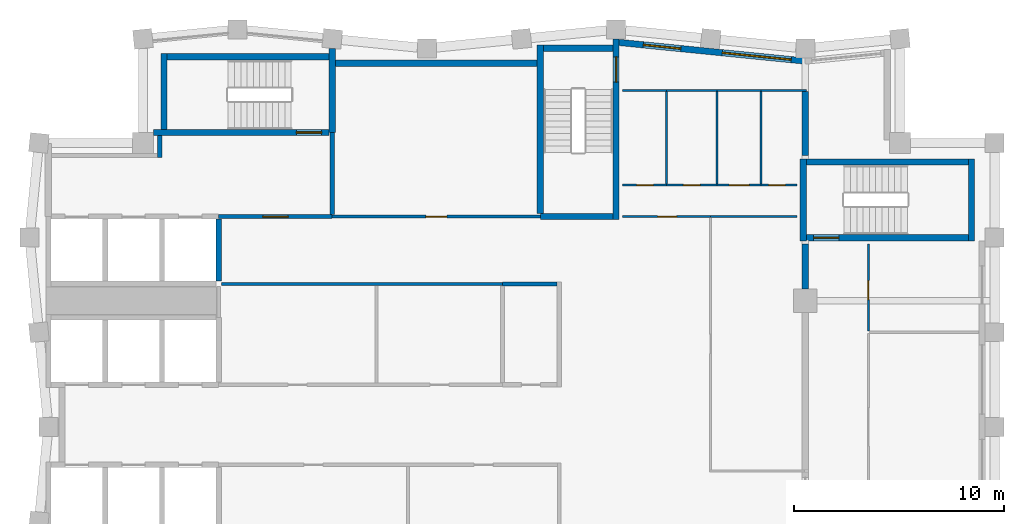
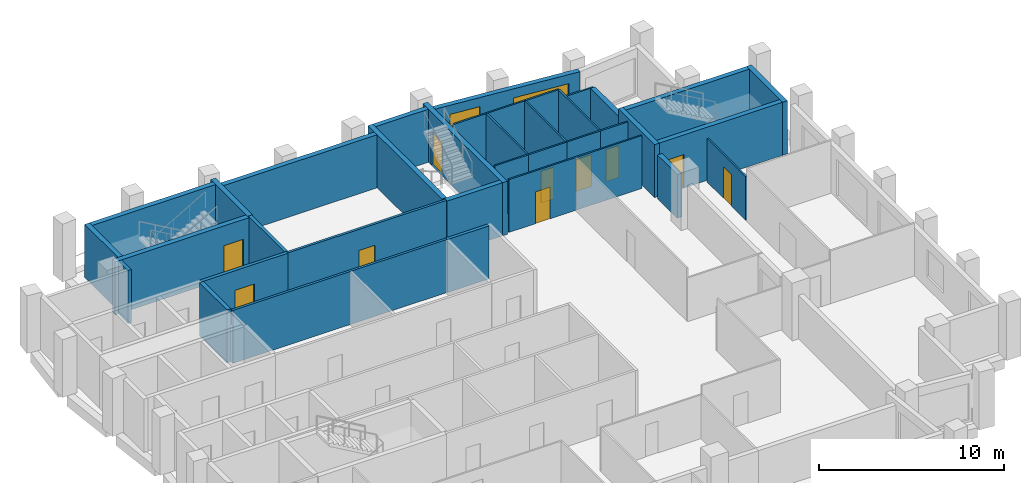
# One storey, part 5 of 7: 37 walls, 11 doors, 2 windows, 13 openings.
"""IFC4 building model written with IfcOpenShell, lengths in metres."""

from ifc_helpers import new_model, si_unit, direction, frame, frame_2d, origin, place, context, subcontext, project, spatial, rectangle, extrude, material, layer, layer_set, type_object, element, fill, save


model = new_model("IFC4")

# Units and contexts
model_context = context("Model", 3, precision=1e-05, world=origin(), true_north=direction((0.0, 1.0)))
body_context = subcontext(model_context, "Body", "Model", "MODEL_VIEW")
ifc_project = project(units=[si_unit("LENGTHUNIT", "METRE"), si_unit("AREAUNIT", "SQUARE_METRE"), si_unit("VOLUMEUNIT", "CUBIC_METRE"), si_unit("PLANEANGLEUNIT", "RADIAN"), si_unit("MASSUNIT", "GRAM", prefix="KILO")], contexts=[model_context])

# Site, building, storey
site_placement = place(None, origin())
site = spatial("IfcSite", under=ifc_project, at=site_placement, CompositionType="ELEMENT")
building_placement = place(site_placement, origin())
building = spatial("IfcBuilding", under=site, at=building_placement, Name="Brondeck Convention Tower", CompositionType="ELEMENT")
storey_placement = place(building_placement, frame((0.0, 0.0, 263.800048828125)))
storey = spatial("IfcBuildingStorey", under=building, at=storey_placement, Name="L65", CompositionType="ELEMENT", Elevation=263.800048828125)

# Walls
ifc_material_1 = material(Name="Concrete compartment wall C30/37", Category="concrete")
ifc_layer_1 = layer(ifc_material_1, 0.300048828125)
ifc_layer_set_1 = layer_set([ifc_layer_1], Name="Compartment wall 300")
wall_type_1 = type_object("IfcWallType", Name="Compartment wall 300", PredefinedType="PARTITIONING", material=ifc_layer_set_1)
wall_1_placement = place(storey_placement, frame((36.0, 51.554931640625, 0.0), z_axis=(0.0, 0.0, 1.0), x_axis=(0.0, 1.0, 0.0)))
element("IfcWall", 1, at=wall_1_placement, inside=storey, type_object=wall_type_1, Name="FLR-L65-W040", PredefinedType="PARTITIONING", context=body_context, shape_type="SweptSolid", body=[
    extrude(rectangle(XDim=2.14501953125, YDim=0.300048828125, at=frame_2d((1.072509765625, 0.0))), origin(), (0.0, 0.0, 1.0), 2.8798828125),
])
wall_2_placement = place(storey_placement, frame((36.0, 60.949951171875, 0.0), z_axis=(0.0, 0.0, 1.0), x_axis=(0.0, -1.0, 0.0)))
element("IfcWall", 2, at=wall_2_placement, inside=storey, type_object=wall_type_1, Name="FLR-L65-W052", PredefinedType="PARTITIONING", context=body_context, shape_type="SweptSolid", body=[
    extrude(rectangle(XDim=3.050048828125, YDim=0.300048828125, at=frame_2d((1.52490234375, 0.0))), origin(), (0.0, 0.0, 1.0), 2.8798828125),
])
ifc_material_2 = material(Name="Concrete C50/60", Category="concrete")
ifc_layer_2 = layer(ifc_material_2, 0.300048828125)
ifc_layer_set_2 = layer_set([ifc_layer_2], Name="Core outer wall 300 Concrete C50/60")
wall_type_2 = type_object("IfcWallType", Name="Core outer wall 300 Concrete C50/60", PredefinedType="SHEAR", material=ifc_layer_set_2)
wall_3_placement = place(storey_placement, frame((13.64990234375, 62.300048828125, 0.0), z_axis=(0.0, 0.0, 1.0), x_axis=(1.0, 0.0, 0.0)))
element("IfcWall", 3, at=wall_3_placement, inside=storey, type_object=wall_type_2, Name="L65 core wall", PredefinedType="SHEAR", context=body_context, shape_type="SweptSolid", body=[
    extrude(rectangle(XDim=9.60009765625, YDim=0.300048828125, at=frame_2d((4.800048828125, 0.0))), origin(), (0.0, 0.0, 1.0), 3.5),
])
ifc_material_3 = material(Name="Fire-rated gypsum board partition")
ifc_layer_3 = layer(ifc_material_3, 0.14990234375)
ifc_layer_set_3 = layer_set([ifc_layer_3], Name="Core partition 150 EI 60")
wall_type_3 = type_object("IfcWallType", Name="Core partition 150 EI 60", PredefinedType="PARTITIONING", material=ifc_layer_set_3)
wall_4_placement = place(storey_placement, frame((8.22509765625, 51.800048828125, 0.0), z_axis=(0.0, 0.0, 1.0), x_axis=(1.0, 0.0, 0.0)))
element("IfcWall", 4, at=wall_4_placement, inside=storey, type_object=wall_type_3, Name="L65 core wall", PredefinedType="PARTITIONING", context=body_context, shape_type="SweptSolid", body=[
    extrude(rectangle(XDim=13.375, YDim=0.14990234375, at=frame_2d((6.6875, 0.0))), origin(), (0.0, 0.0, 1.0), 3.5),
])

# Wall, opening, door
wall_5_placement = place(storey_placement, frame((13.5, 55.0, 0.0), z_axis=(0.0, 0.0, 1.0), x_axis=(1.0, 0.0, 0.0)))
wall_5 = element("IfcWall", 5, at=wall_5_placement, inside=storey, type_object=wall_type_3, Name="L65 core wall", PredefinedType="PARTITIONING", context=body_context, shape_type="SweptSolid", body=[
    extrude(rectangle(XDim=9.89990234375, YDim=0.14990234375, at=frame_2d((4.949951171875, 0.0))), origin(), (0.0, 0.0, 1.0), 3.5),
])
opening_1_placement = place(wall_5_placement, frame((4.449951171875, 0.0, 0.0)))
opening_1 = element("IfcOpeningElement", 6, at=opening_1_placement, cuts=wall_5, Name="Opening C36-11", PredefinedType="OPENING", context=body_context, shape_type="SweptSolid", body=[
    extrude(rectangle(XDim=1.0, YDim=2.10009765625, at=frame_2d((0.5, 1.050048828125))), frame((0.0, 0.0849609375, 0.0), z_axis=(0.0, -1.0, 0.0), x_axis=(1.0, 0.0, 0.0)), (0.0, 0.0, 1.0), 0.169921875),
])
ifc_material_4 = material(Name="Steel fire door", Category="steel")
door_type_1 = type_object("IfcDoorType", Name="Room door 1000x2100 EI 60", OperationType="NOTDEFINED", PredefinedType="DOOR", material=ifc_material_4)
door_1_placement = place(opening_1_placement, origin())
door_1 = element("IfcDoor", 7, at=door_1_placement, inside=storey, type_object=door_type_1, Name="L65 Room door NE-1", OperationType="SINGLE_SWING_LEFT", OverallHeight=2.10009765625, OverallWidth=1.0, PredefinedType="DOOR", context=body_context, shape_type="SweptSolid", body=[
    extrude(rectangle(XDim=1.0, YDim=2.10009765625, at=frame_2d((0.5, 1.050048828125))), frame((0.0, 0.02490234375, 0.0), z_axis=(0.0, -1.0, 0.0), x_axis=(1.0, 0.0, 0.0)), (0.0, 0.0, 1.0), 0.050048828125),
])
fill(opening_1, door_1)

# Wall, openings, windows
ifc_material_5 = material(Name="Precast concrete C50/60 bronze finish", Category="concrete")
ifc_layer_4 = layer(ifc_material_5, 0.070068359375, Name="Bronze precast facing")
ifc_material_6 = material(Name="Mineral wool")
ifc_layer_5 = layer(ifc_material_6, 0.159912109375, Name="Insulation")
ifc_material_7 = material(Name="Concrete C35/45", Category="concrete")
ifc_layer_6 = layer(ifc_material_7, 0.070068359375, Name="Backing")
ifc_layer_set_4 = layer_set([ifc_layer_4, ifc_layer_5, ifc_layer_6], Name="External infill wall, precast concrete C50/60 bronze facing")
wall_type_4 = type_object("IfcWallType", Name="External infill wall, precast concrete C50/60 bronze facing", PredefinedType="SOLIDWALL", material=ifc_layer_set_4)
wall_6_placement = place(storey_placement, frame((27.089599609375, 63.2880859375, 0.0), z_axis=(0.0, 0.0, 1.0), x_axis=(0.995035835913, -0.09951726106, 0.0)))
wall_6 = element("IfcWall", 8, at=wall_6_placement, inside=storey, type_object=wall_type_4, Name="ENV-EW-L65-P3-A-N-07", PredefinedType="SOLIDWALL", context=body_context, shape_type="SweptSolid", body=[
    extrude(rectangle(XDim=8.9248046875, YDim=0.300048828125, at=frame_2d((4.46240234375, 0.0))), origin(), (0.0, 0.0, 1.0), 3.14990234375),
])
opening_2_placement = place(wall_6_placement, frame((1.211181640625, 0.0, 0.75)))
opening_2 = element("IfcOpeningElement", 9, at=opening_2_placement, cuts=wall_6, Name="Opening W10", PredefinedType="OPENING", context=body_context, shape_type="SweptSolid", body=[
    extrude(rectangle(XDim=1.800048828125, YDim=1.800048828125, at=frame_2d((0.89990234375, 0.89990234375))), frame((0.0, 0.159912109375, 0.0), z_axis=(0.0, -1.0, 0.0), x_axis=(1.0, 0.0, 0.0)), (0.0, 0.0, 1.0), 0.320068359375),
])
opening_3_placement = place(wall_6_placement, frame((4.983642578125, 0.0, 0.14990234375)))
opening_3 = element("IfcOpeningElement", 10, at=opening_3_placement, cuts=wall_6, Name="Opening W9", PredefinedType="OPENING", context=body_context, shape_type="SweptSolid", body=[
    extrude(rectangle(XDim=3.300048828125, YDim=2.39990234375, at=frame_2d((1.64990234375, 1.199951171875))), frame((0.0, 0.159912109375, 0.0), z_axis=(0.0, -1.0, 0.0), x_axis=(1.0, 0.0, 0.0)), (0.0, 0.0, 1.0), 0.320068359375),
])
ifc_material_8 = material(Name="Bronze tinted double glazing", Category="glass")
window_type_1 = type_object("IfcWindowType", Name="Glazed flute window, bronze tinted", PartitioningType="SINGLE_PANEL", PredefinedType="WINDOW", material=ifc_material_8)
window_1_placement = place(opening_3_placement, origin())
window_1 = element("IfcWindow", 11, at=window_1_placement, inside=storey, type_object=window_type_1, Name="ENV-WN-L65-P3-A-N-07", OverallHeight=2.39990234375, OverallWidth=3.300048828125, PartitioningType="SINGLE_PANEL", PredefinedType="WINDOW", context=body_context, shape_type="SweptSolid", body=[
    extrude(rectangle(XDim=3.300048828125, YDim=2.39990234375, at=frame_2d((1.64990234375, 1.199951171875))), frame((0.0, 0.030029296875, 0.0), z_axis=(0.0, -1.0, 0.0), x_axis=(1.0, 0.0, 0.0)), (0.0, 0.0, 1.0), 0.06005859375),
])
fill(opening_3, window_1)
window_type_2 = type_object("IfcWindowType", Name="Punched window, bronze tinted", PartitioningType="SINGLE_PANEL", PredefinedType="WINDOW", material=ifc_material_8)
window_2_placement = place(opening_2_placement, origin())
window_2 = element("IfcWindow", 12, at=window_2_placement, inside=storey, type_object=window_type_2, Name="ENV-WN-L65-P3-A-N-06", OverallHeight=1.800048828125, OverallWidth=1.800048828125, PartitioningType="SINGLE_PANEL", PredefinedType="WINDOW", context=body_context, shape_type="SweptSolid", body=[
    extrude(rectangle(XDim=1.800048828125, YDim=1.800048828125, at=frame_2d((0.89990234375, 0.89990234375))), frame((0.0, 0.030029296875, 0.0), z_axis=(0.0, -1.0, 0.0), x_axis=(1.0, 0.0, 0.0)), (0.0, 0.0, 1.0), 0.06005859375),
])
fill(opening_2, window_2)

# Wall, opening, door
ifc_layer_7 = layer(ifc_material_3, 0.199951171875)
ifc_layer_set_5 = layer_set([ifc_layer_7], Name="Firefighting lobby wall 200 EI 120")
wall_type_5 = type_object("IfcWallType", Name="Firefighting lobby wall 200 EI 120", PredefinedType="PARTITIONING", material=ifc_layer_set_5)
wall_7_placement = place(storey_placement, frame((8.10009765625, 55.0, 0.0), z_axis=(0.0, 0.0, 1.0), x_axis=(1.0, 0.0, 0.0)))
wall_7 = element("IfcWall", 13, at=wall_7_placement, inside=storey, type_object=wall_type_5, Name="L65 core wall", PredefinedType="PARTITIONING", context=body_context, shape_type="SweptSolid", body=[
    extrude(rectangle(XDim=5.39990234375, YDim=0.199951171875, at=frame_2d((2.699951171875, 0.0))), origin(), (0.0, 0.0, 1.0), 3.5),
])
opening_4_placement = place(wall_7_placement, frame((2.10009765625, 0.0, 0.0)))
opening_4 = element("IfcOpeningElement", 14, at=opening_4_placement, cuts=wall_7, Name="Opening C36-01", PredefinedType="OPENING", context=body_context, shape_type="SweptSolid", body=[
    extrude(rectangle(XDim=1.199951171875, YDim=2.199951171875, at=frame_2d((0.60009765625, 1.10009765625))), frame((0.0, 0.10986328125, 0.0), z_axis=(0.0, -1.0, 0.0), x_axis=(1.0, 0.0, 0.0)), (0.0, 0.0, 1.0), 0.219970703125),
])
door_type_2 = type_object("IfcDoorType", Name="Firefighting lobby door 1200x2200 EI 120", OperationType="NOTDEFINED", PredefinedType="DOOR", material=ifc_material_4)
door_2_placement = place(opening_4_placement, origin())
door_2 = element("IfcDoor", 15, at=door_2_placement, inside=storey, type_object=door_type_2, Name="L65 Firefighting lobby door FFL-1", OperationType="SINGLE_SWING_RIGHT", OverallHeight=2.199951171875, OverallWidth=1.199951171875, PredefinedType="DOOR", context=body_context, shape_type="SweptSolid", body=[
    extrude(rectangle(XDim=1.199951171875, YDim=2.199951171875, at=frame_2d((0.60009765625, 1.10009765625))), frame((0.0, 0.02490234375, 0.0), z_axis=(0.0, -1.0, 0.0), x_axis=(1.0, 0.0, 0.0)), (0.0, 0.0, 1.0), 0.050048828125),
])
fill(opening_4, door_2)

# Walls
wall_8_placement = place(storey_placement, frame((5.300048828125, 57.800048828125, 0.0), z_axis=(0.0, 0.0, 1.0), x_axis=(0.0, 1.0, 0.0)))
element("IfcWall", 16, at=wall_8_placement, inside=storey, type_object=wall_type_5, Name="L65 core wall", PredefinedType="PARTITIONING", context=body_context, shape_type="SweptSolid", body=[
    extrude(rectangle(XDim=1.050048828125, YDim=0.199951171875, at=frame_2d((0.52490234375, 0.0))), origin(), (0.0, 0.0, 1.0), 3.5),
])
wall_9_placement = place(storey_placement, frame((13.5, 55.10009765625, 0.0), z_axis=(0.0, 0.0, 1.0), x_axis=(0.0, 1.0, 0.0)))
element("IfcWall", 17, at=wall_9_placement, inside=storey, type_object=wall_type_5, Name="L65 core wall", PredefinedType="PARTITIONING", context=body_context, shape_type="SweptSolid", body=[
    extrude(rectangle(XDim=3.89990234375, YDim=0.199951171875, at=frame_2d((1.949951171875, 0.0))), origin(), (0.0, 0.0, 1.0), 3.5),
])
ifc_layer_8 = layer(ifc_material_2, 0.25)
ifc_layer_set_6 = layer_set([ifc_layer_8], Name="Lift shaft wall 250 Concrete C50/60")
wall_type_6 = type_object("IfcWallType", Name="Lift shaft wall 250 Concrete C50/60", PredefinedType="SHEAR", material=ifc_layer_set_6)
wall_10_placement = place(storey_placement, frame((8.10009765625, 51.925048828125, 0.0), z_axis=(0.0, 0.0, 1.0), x_axis=(0.0, 1.0, 0.0)))
element("IfcWall", 18, at=wall_10_placement, inside=storey, type_object=wall_type_6, Name="L65 core wall", PredefinedType="SHEAR", context=body_context, shape_type="SweptSolid", body=[
    extrude(rectangle(XDim=2.949951171875, YDim=0.25, at=frame_2d((1.47509765625, 0.0))), origin(), (0.0, 0.0, 1.0), 3.5),
])
ifc_layer_9 = layer(ifc_material_3, 0.199951171875)
ifc_layer_set_7 = layer_set([ifc_layer_9], Name="Riser wall 200 EI 120")
wall_type_7 = type_object("IfcWallType", Name="Riser wall 200 EI 120", PredefinedType="PARTITIONING", material=ifc_layer_set_7)
wall_11_placement = place(storey_placement, frame((21.60009765625, 51.800048828125, 0.0), z_axis=(0.0, 0.0, 1.0), x_axis=(1.0, 0.0, 0.0)))
element("IfcWall", 19, at=wall_11_placement, inside=storey, type_object=wall_type_7, Name="L65 core wall", PredefinedType="PARTITIONING", context=body_context, shape_type="SweptSolid", body=[
    extrude(rectangle(XDim=2.599853515625, YDim=0.199951171875, at=frame_2d((1.2998046875, 0.0))), origin(), (0.0, 0.0, 1.0), 3.5),
])

# Wall, opening, door
ifc_material_9 = material(Name="Gypsum board partition on steel studs", Category="steel")
ifc_layer_10 = layer(ifc_material_9, 0.10009765625)
ifc_layer_set_8 = layer_set([ifc_layer_10], Name="Room partition 100")
wall_type_8 = type_object("IfcWallType", Name="Room partition 100", PredefinedType="PARTITIONING", material=ifc_layer_set_8)
wall_12_placement = place(storey_placement, frame((39.0, 53.699951171875, 0.0), z_axis=(0.0, 0.0, 1.0), x_axis=(0.0, -1.0, 0.0)))
wall_12 = element("IfcWall", 20, at=wall_12_placement, inside=storey, type_object=wall_type_8, Name="FLR-L65-W041", PredefinedType="PARTITIONING", context=body_context, shape_type="SweptSolid", body=[
    extrude(rectangle(XDim=4.14990234375, YDim=0.10009765625, at=frame_2d((2.074951171875, 0.0))), origin(), (0.0, 0.0, 1.0), 2.8798828125),
])
opening_5_placement = place(wall_12_placement, frame((1.75, 0.0, 0.0)))
opening_5 = element("IfcOpeningElement", 21, at=opening_5_placement, cuts=wall_12, Name="Opening EX-B-002", PredefinedType="OPENING", context=body_context, shape_type="SweptSolid", body=[
    extrude(rectangle(XDim=0.89990234375, YDim=2.10009765625, at=frame_2d((0.449951171875, 1.050048828125))), frame((0.0, 0.06005859375, 0.0), z_axis=(0.0, -1.0, 0.0), x_axis=(1.0, 0.0, 0.0)), (0.0, 0.0, 1.0), 0.1201171875),
])
ifc_material_10 = material(Name="Solid timber door leaf", Category="wood")
door_type_3 = type_object("IfcDoorType", Name="Single door 900", OperationType="NOTDEFINED", PredefinedType="DOOR", material=ifc_material_10)
door_3_placement = place(opening_5_placement, origin())
door_3 = element("IfcDoor", 22, at=door_3_placement, inside=storey, type_object=door_type_3, Name="Door EX-B-002", OperationType="SINGLE_SWING_LEFT", OverallHeight=2.10009765625, OverallWidth=0.89990234375, PredefinedType="DOOR", context=body_context, shape_type="SweptSolid", body=[
    extrude(rectangle(XDim=0.89990234375, YDim=2.10009765625, at=frame_2d((0.449951171875, 1.050048828125))), frame((0.0, 0.02490234375, 0.0), z_axis=(0.0, -1.0, 0.0), x_axis=(1.0, 0.0, 0.0)), (0.0, 0.0, 1.0), 0.050048828125),
])
fill(opening_5, door_3)

wall_13_placement = place(storey_placement, frame((27.300048828125, 55.0, 0.0), z_axis=(0.0, 0.0, 1.0), x_axis=(1.0, 0.0, 0.0)))
wall_13 = element("IfcWall", 23, at=wall_13_placement, inside=storey, type_object=wall_type_8, Name="FLR-L65-W043", PredefinedType="PARTITIONING", context=body_context, shape_type="SweptSolid", body=[
    extrude(rectangle(XDim=4.199951171875, YDim=0.10009765625, at=frame_2d((2.10009765625, 0.0))), origin(), (0.0, 0.0, 1.0), 3.47998046875),
])
opening_6_placement = place(wall_13_placement, frame((1.675048828125, 0.0, 0.0)))
opening_6 = element("IfcOpeningElement", 24, at=opening_6_placement, cuts=wall_13, Name="Opening EX-B-007", PredefinedType="OPENING", context=body_context, shape_type="SweptSolid", body=[
    extrude(rectangle(XDim=0.89990234375, YDim=2.10009765625, at=frame_2d((0.449951171875, 1.050048828125))), frame((0.0, 0.06005859375, 0.0), z_axis=(0.0, -1.0, 0.0), x_axis=(1.0, 0.0, 0.0)), (0.0, 0.0, 1.0), 0.1201171875),
])
door_4_placement = place(opening_6_placement, origin())
door_4 = element("IfcDoor", 25, at=door_4_placement, inside=storey, type_object=door_type_3, Name="Door EX-B-007", OperationType="SINGLE_SWING_LEFT", OverallHeight=2.10009765625, OverallWidth=0.89990234375, PredefinedType="DOOR", context=body_context, shape_type="SweptSolid", body=[
    extrude(rectangle(XDim=0.89990234375, YDim=2.10009765625, at=frame_2d((0.449951171875, 1.050048828125))), frame((0.0, 0.02490234375, 0.0), z_axis=(0.0, -1.0, 0.0), x_axis=(1.0, 0.0, 0.0)), (0.0, 0.0, 1.0), 0.050048828125),
])
fill(opening_6, door_4)

# Wall
wall_14_placement = place(storey_placement, frame((35.60009765625, 55.0, 0.0), z_axis=(0.0, 0.0, 1.0), x_axis=(-1.0, 0.0, 0.0)))
element("IfcWall", 26, at=wall_14_placement, inside=storey, type_object=wall_type_8, Name="FLR-L65-W044", PredefinedType="PARTITIONING", context=body_context, shape_type="SweptSolid", body=[
    extrude(rectangle(XDim=4.10009765625, YDim=0.10009765625, at=frame_2d((2.050048828125, 0.0))), origin(), (0.0, 0.0, 1.0), 3.47998046875),
])

# Wall, opening, door
wall_15_placement = place(storey_placement, frame((27.300048828125, 56.5, 0.0), z_axis=(0.0, 0.0, 1.0), x_axis=(1.0, 0.0, 0.0)))
wall_15 = element("IfcWall", 27, at=wall_15_placement, inside=storey, type_object=wall_type_8, Name="FLR-L65-W045", PredefinedType="PARTITIONING", context=body_context, shape_type="SweptSolid", body=[
    extrude(rectangle(XDim=2.099853515625, YDim=0.10009765625, at=frame_2d((1.0498046875, 0.0))), origin(), (0.0, 0.0, 1.0), 3.47998046875),
])
opening_7_placement = place(wall_15_placement, frame((0.675048828125, 0.0, 0.0)))
opening_7 = element("IfcOpeningElement", 28, at=opening_7_placement, cuts=wall_15, Name="Opening EX-B-008", PredefinedType="OPENING", context=body_context, shape_type="SweptSolid", body=[
    extrude(rectangle(XDim=0.800048828125, YDim=2.10009765625, at=frame_2d((0.39990234375, 1.050048828125))), frame((0.0, 0.06005859375, 0.0), z_axis=(0.0, -1.0, 0.0), x_axis=(1.0, 0.0, 0.0)), (0.0, 0.0, 1.0), 0.1201171875),
])
door_type_4 = type_object("IfcDoorType", Name="En-suite door 800", OperationType="NOTDEFINED", PredefinedType="DOOR", material=ifc_material_10)
door_5_placement = place(opening_7_placement, origin())
door_5 = element("IfcDoor", 29, at=door_5_placement, inside=storey, type_object=door_type_4, Name="Door EX-B-008", OperationType="SINGLE_SWING_LEFT", OverallHeight=2.10009765625, OverallWidth=0.800048828125, PredefinedType="DOOR", context=body_context, shape_type="SweptSolid", body=[
    extrude(rectangle(XDim=0.800048828125, YDim=2.10009765625, at=frame_2d((0.39990234375, 1.050048828125))), frame((0.0, 0.02490234375, 0.0), z_axis=(0.0, -1.0, 0.0), x_axis=(1.0, 0.0, 0.0)), (0.0, 0.0, 1.0), 0.050048828125),
])
fill(opening_7, door_5)

wall_16_placement = place(storey_placement, frame((29.39990234375, 56.5, 0.0), z_axis=(0.0, 0.0, 1.0), x_axis=(1.0, 0.0, 0.0)))
wall_16 = element("IfcWall", 30, at=wall_16_placement, inside=storey, type_object=wall_type_8, Name="FLR-L65-W046", PredefinedType="PARTITIONING", context=body_context, shape_type="SweptSolid", body=[
    extrude(rectangle(XDim=2.400146484375, YDim=0.10009765625, at=frame_2d((1.2001953125, 0.0))), origin(), (0.0, 0.0, 1.0), 3.47998046875),
])
opening_8_placement = place(wall_16_placement, frame((0.800048828125, 0.0, 0.0)))
opening_8 = element("IfcOpeningElement", 31, at=opening_8_placement, cuts=wall_16, Name="Opening EX-B-009", PredefinedType="OPENING", context=body_context, shape_type="SweptSolid", body=[
    extrude(rectangle(XDim=0.800048828125, YDim=2.10009765625, at=frame_2d((0.39990234375, 1.050048828125))), frame((0.0, 0.06005859375, 0.0), z_axis=(0.0, -1.0, 0.0), x_axis=(1.0, 0.0, 0.0)), (0.0, 0.0, 1.0), 0.1201171875),
])
door_6_placement = place(opening_8_placement, origin())
door_6 = element("IfcDoor", 32, at=door_6_placement, inside=storey, type_object=door_type_4, Name="Door EX-B-009", OperationType="SINGLE_SWING_RIGHT", OverallHeight=2.10009765625, OverallWidth=0.800048828125, PredefinedType="DOOR", context=body_context, shape_type="SweptSolid", body=[
    extrude(rectangle(XDim=0.800048828125, YDim=2.10009765625, at=frame_2d((0.39990234375, 1.050048828125))), frame((0.0, 0.02490234375, 0.0), z_axis=(0.0, -1.0, 0.0), x_axis=(1.0, 0.0, 0.0)), (0.0, 0.0, 1.0), 0.050048828125),
])
fill(opening_8, door_6)

wall_17_placement = place(storey_placement, frame((31.800048828125, 56.5, 0.0), z_axis=(0.0, 0.0, 1.0), x_axis=(1.0, 0.0, 0.0)))
wall_17 = element("IfcWall", 33, at=wall_17_placement, inside=storey, type_object=wall_type_8, Name="FLR-L65-W047", PredefinedType="PARTITIONING", context=body_context, shape_type="SweptSolid", body=[
    extrude(rectangle(XDim=2.099853515625, YDim=0.10009765625, at=frame_2d((1.0498046875, 0.0))), origin(), (0.0, 0.0, 1.0), 3.47998046875),
])
opening_9_placement = place(wall_17_placement, frame((0.574951171875, 0.0, 0.0)))
opening_9 = element("IfcOpeningElement", 34, at=opening_9_placement, cuts=wall_17, Name="Opening EX-B-010", PredefinedType="OPENING", context=body_context, shape_type="SweptSolid", body=[
    extrude(rectangle(XDim=0.949951171875, YDim=2.10009765625, at=frame_2d((0.47509765625, 1.050048828125))), frame((0.0, 0.06005859375, 0.0), z_axis=(0.0, -1.0, 0.0), x_axis=(1.0, 0.0, 0.0)), (0.0, 0.0, 1.0), 0.1201171875),
])
door_type_5 = type_object("IfcDoorType", Name="Accessible door 950", OperationType="NOTDEFINED", PredefinedType="DOOR", material=ifc_material_10)
door_7_placement = place(opening_9_placement, origin())
door_7 = element("IfcDoor", 35, at=door_7_placement, inside=storey, type_object=door_type_5, Name="Door EX-B-010", OperationType="SINGLE_SWING_LEFT", OverallHeight=2.10009765625, OverallWidth=0.949951171875, PredefinedType="DOOR", context=body_context, shape_type="SweptSolid", body=[
    extrude(rectangle(XDim=0.949951171875, YDim=2.10009765625, at=frame_2d((0.47509765625, 1.050048828125))), frame((0.0, 0.02490234375, 0.0), z_axis=(0.0, -1.0, 0.0), x_axis=(1.0, 0.0, 0.0)), (0.0, 0.0, 1.0), 0.050048828125),
])
fill(opening_9, door_7)

wall_18_placement = place(storey_placement, frame((33.89990234375, 56.5, 0.0), z_axis=(0.0, 0.0, 1.0), x_axis=(1.0, 0.0, 0.0)))
wall_18 = element("IfcWall", 36, at=wall_18_placement, inside=storey, type_object=wall_type_8, Name="FLR-L65-W048", PredefinedType="PARTITIONING", context=body_context, shape_type="SweptSolid", body=[
    extrude(rectangle(XDim=1.7001953125, YDim=0.10009765625, at=frame_2d((0.85009765625, 0.0))), origin(), (0.0, 0.0, 1.0), 3.47998046875),
])
opening_10_placement = place(wall_18_placement, frame((0.35009765625, 0.0, 0.0)))
opening_10 = element("IfcOpeningElement", 37, at=opening_10_placement, cuts=wall_18, Name="Opening EX-B-011", PredefinedType="OPENING", context=body_context, shape_type="SweptSolid", body=[
    extrude(rectangle(XDim=0.800048828125, YDim=2.10009765625, at=frame_2d((0.39990234375, 1.050048828125))), frame((0.0, 0.06005859375, 0.0), z_axis=(0.0, -1.0, 0.0), x_axis=(1.0, 0.0, 0.0)), (0.0, 0.0, 1.0), 0.1201171875),
])
ifc_material_11 = material(Name="Steel service door leaf", Category="steel")
door_type_6 = type_object("IfcDoorType", Name="Service door 800", OperationType="NOTDEFINED", PredefinedType="DOOR", material=ifc_material_11)
door_8_placement = place(opening_10_placement, origin())
door_8 = element("IfcDoor", 38, at=door_8_placement, inside=storey, type_object=door_type_6, Name="Door EX-B-011", OperationType="SINGLE_SWING_LEFT", OverallHeight=2.10009765625, OverallWidth=0.800048828125, PredefinedType="DOOR", context=body_context, shape_type="SweptSolid", body=[
    extrude(rectangle(XDim=0.800048828125, YDim=2.10009765625, at=frame_2d((0.39990234375, 1.050048828125))), frame((0.0, 0.02490234375, 0.0), z_axis=(0.0, -1.0, 0.0), x_axis=(1.0, 0.0, 0.0)), (0.0, 0.0, 1.0), 0.050048828125),
])
fill(opening_10, door_8)

# Walls
for number, where, z_axis, x_axis, name in (
    (39, (29.39990234375, 60.949951171875, 0.0), (0.0, 0.0, 1.0), (0.0, -1.0, 0.0), "FLR-L65-W049"),
    (40, (31.800048828125, 60.949951171875, 0.0), (0.0, 0.0, 1.0), (0.0, -1.0, 0.0), "FLR-L65-W050"),
    (41, (33.89990234375, 60.949951171875, 0.0), (0.0, 0.0, 1.0), (0.0, -1.0, 0.0), "FLR-L65-W051"),
):
    element("IfcWall", number, at=place(storey_placement, frame(where, z_axis=z_axis, x_axis=x_axis)), inside=storey, type_object=wall_type_8, Name=name, PredefinedType="PARTITIONING", context=body_context, shape_type="SweptSolid", body=[
        extrude(rectangle(XDim=4.39990234375, YDim=0.10009765625, at=frame_2d((2.199951171875, 0.0))), origin(), (0.0, 0.0, 1.0), 3.47998046875),
    ])
wall_19_placement = place(storey_placement, frame((27.300048828125, 61.0, 0.0), z_axis=(0.0, 0.0, 1.0), x_axis=(1.0, 0.0, 0.0)))
element("IfcWall", 42, at=wall_19_placement, inside=storey, type_object=wall_type_8, Name="FLR-L65-W053", PredefinedType="PARTITIONING", context=body_context, shape_type="SweptSolid", body=[
    extrude(rectangle(XDim=2.099853515625, YDim=0.10009765625, at=frame_2d((1.0498046875, 0.0))), origin(), (0.0, 0.0, 1.0), 3.47998046875),
])
wall_20_placement = place(storey_placement, frame((29.39990234375, 61.0, 0.0), z_axis=(0.0, 0.0, 1.0), x_axis=(1.0, 0.0, 0.0)))
element("IfcWall", 43, at=wall_20_placement, inside=storey, type_object=wall_type_8, Name="FLR-L65-W054", PredefinedType="PARTITIONING", context=body_context, shape_type="SweptSolid", body=[
    extrude(rectangle(XDim=2.400146484375, YDim=0.10009765625, at=frame_2d((1.2001953125, 0.0))), origin(), (0.0, 0.0, 1.0), 3.47998046875),
])
wall_21_placement = place(storey_placement, frame((31.800048828125, 61.0, 0.0), z_axis=(0.0, 0.0, 1.0), x_axis=(1.0, 0.0, 0.0)))
element("IfcWall", 44, at=wall_21_placement, inside=storey, type_object=wall_type_8, Name="FLR-L65-W055", PredefinedType="PARTITIONING", context=body_context, shape_type="SweptSolid", body=[
    extrude(rectangle(XDim=2.099853515625, YDim=0.10009765625, at=frame_2d((1.0498046875, 0.0))), origin(), (0.0, 0.0, 1.0), 3.47998046875),
])
wall_22_placement = place(storey_placement, frame((33.89990234375, 61.0, 0.0), z_axis=(0.0, 0.0, 1.0), x_axis=(1.0, 0.0, 0.0)))
element("IfcWall", 45, at=wall_22_placement, inside=storey, type_object=wall_type_8, Name="FLR-L65-W056", PredefinedType="PARTITIONING", context=body_context, shape_type="SweptSolid", body=[
    extrude(rectangle(XDim=2.150146484375, YDim=0.10009765625, at=frame_2d((1.0751953125, 0.0))), origin(), (0.0, 0.0, 1.0), 2.8798828125),
])

# Wall, opening, door
ifc_layer_11 = layer(ifc_material_2, 0.300048828125)
ifc_layer_set_9 = layer_set([ifc_layer_11], Name="Stair enclosure wall 300 Concrete C50/60")
wall_type_9 = type_object("IfcWallType", Name="Stair enclosure wall 300 Concrete C50/60", PredefinedType="SHEAR", material=ifc_layer_set_9)
wall_23_placement = place(storey_placement, frame((36.050048828125, 54.0, 0.0), z_axis=(0.0, 0.0, 1.0), x_axis=(1.0, 0.0, 0.0)))
wall_23 = element("IfcWall", 46, at=wall_23_placement, inside=storey, type_object=wall_type_9, Name="L65 core wall", PredefinedType="SHEAR", context=body_context, shape_type="SweptSolid", body=[
    extrude(rectangle(XDim=7.699951171875, YDim=0.300048828125, at=frame_2d((3.85009765625, 0.0))), origin(), (0.0, 0.0, 1.0), 3.5),
])
opening_11_placement = place(wall_23_placement, frame((0.35009765625, 0.0, 0.0)))
opening_11 = element("IfcOpeningElement", 47, at=opening_11_placement, cuts=wall_23, Name="Opening C36-15", PredefinedType="OPENING", context=body_context, shape_type="SweptSolid", body=[
    extrude(rectangle(XDim=1.199951171875, YDim=2.199951171875, at=frame_2d((0.60009765625, 1.10009765625))), frame((0.0, 0.159912109375, 0.0), z_axis=(0.0, -1.0, 0.0), x_axis=(1.0, 0.0, 0.0)), (0.0, 0.0, 1.0), 0.320068359375),
])
door_type_7 = type_object("IfcDoorType", Name="Stair door 1200x2200 EI 90", OperationType="NOTDEFINED", PredefinedType="DOOR", material=ifc_material_4)
door_9_placement = place(opening_11_placement, origin())
door_9 = element("IfcDoor", 48, at=door_9_placement, inside=storey, type_object=door_type_7, Name="L65 Stair door ST-AE", OperationType="SINGLE_SWING_LEFT", OverallHeight=2.199951171875, OverallWidth=1.199951171875, PredefinedType="DOOR", context=body_context, shape_type="SweptSolid", body=[
    extrude(rectangle(XDim=1.199951171875, YDim=2.199951171875, at=frame_2d((0.60009765625, 1.10009765625))), frame((0.0, 0.02490234375, 0.0), z_axis=(0.0, -1.0, 0.0), x_axis=(1.0, 0.0, 0.0)), (0.0, 0.0, 1.0), 0.050048828125),
])
fill(opening_11, door_9)

# Walls
wall_24_placement = place(storey_placement, frame((23.39990234375, 55.0, 0.0), z_axis=(0.0, 0.0, 1.0), x_axis=(1.0, 0.0, 0.0)))
element("IfcWall", 49, at=wall_24_placement, inside=storey, type_object=wall_type_9, Name="L65 core wall", PredefinedType="SHEAR", context=body_context, shape_type="SweptSolid", body=[
    extrude(rectangle(XDim=3.4501953125, YDim=0.300048828125, at=frame_2d((1.72509765625, 0.0))), origin(), (0.0, 0.0, 1.0), 3.5),
])
wall_25_placement = place(storey_placement, frame((36.050048828125, 57.60009765625, 0.0), z_axis=(0.0, 0.0, 1.0), x_axis=(1.0, 0.0, 0.0)))
element("IfcWall", 50, at=wall_25_placement, inside=storey, type_object=wall_type_9, Name="L65 core wall", PredefinedType="SHEAR", context=body_context, shape_type="SweptSolid", body=[
    extrude(rectangle(XDim=7.699951171875, YDim=0.300048828125, at=frame_2d((3.85009765625, 0.0))), origin(), (0.0, 0.0, 1.0), 3.5),
])

# Wall, opening, door
wall_26_placement = place(storey_placement, frame((5.0, 59.0, 0.0), z_axis=(0.0, 0.0, 1.0), x_axis=(1.0, 0.0, 0.0)))
wall_26 = element("IfcWall", 51, at=wall_26_placement, inside=storey, type_object=wall_type_9, Name="L65 core wall", PredefinedType="SHEAR", context=body_context, shape_type="SweptSolid", body=[
    extrude(rectangle(XDim=8.35009765625, YDim=0.300048828125, at=frame_2d((4.175048828125, 0.0))), origin(), (0.0, 0.0, 1.0), 3.5),
])
opening_12_placement = place(wall_26_placement, frame((6.800048828125, 0.0, 0.0)))
opening_12 = element("IfcOpeningElement", 52, at=opening_12_placement, cuts=wall_26, Name="Opening C36-14", PredefinedType="OPENING", context=body_context, shape_type="SweptSolid", body=[
    extrude(rectangle(XDim=1.199951171875, YDim=2.199951171875, at=frame_2d((0.60009765625, 1.10009765625))), frame((0.0, 0.159912109375, 0.0), z_axis=(0.0, -1.0, 0.0), x_axis=(1.0, 0.0, 0.0)), (0.0, 0.0, 1.0), 0.320068359375),
])
door_type_8 = type_object("IfcDoorType", Name="Stair door 1200x2200 EI 120", OperationType="NOTDEFINED", PredefinedType="DOOR", material=ifc_material_4)
door_10_placement = place(opening_12_placement, origin())
door_10 = element("IfcDoor", 53, at=door_10_placement, inside=storey, type_object=door_type_8, Name="L65 Stair door ST-3", OperationType="SINGLE_SWING_RIGHT", OverallHeight=2.199951171875, OverallWidth=1.199951171875, PredefinedType="DOOR", context=body_context, shape_type="SweptSolid", body=[
    extrude(rectangle(XDim=1.199951171875, YDim=2.199951171875, at=frame_2d((0.60009765625, 1.10009765625))), frame((0.0, 0.02490234375, 0.0), z_axis=(0.0, -1.0, 0.0), x_axis=(1.0, 0.0, 0.0)), (0.0, 0.0, 1.0), 0.050048828125),
])
fill(opening_12, door_10)

# Walls
wall_27_placement = place(storey_placement, frame((5.64990234375, 62.60009765625, 0.0), z_axis=(0.0, 0.0, 1.0), x_axis=(1.0, 0.0, 0.0)))
element("IfcWall", 54, at=wall_27_placement, inside=storey, type_object=wall_type_9, Name="L65 core wall", PredefinedType="SHEAR", context=body_context, shape_type="SweptSolid", body=[
    extrude(rectangle(XDim=7.7001953125, YDim=0.300048828125, at=frame_2d((3.85009765625, 0.0))), origin(), (0.0, 0.0, 1.0), 3.5),
])
wall_28_placement = place(storey_placement, frame((23.550048828125, 63.0, 0.0), z_axis=(0.0, 0.0, 1.0), x_axis=(1.0, 0.0, 0.0)))
element("IfcWall", 55, at=wall_28_placement, inside=storey, type_object=wall_type_9, Name="L65 core wall", PredefinedType="SHEAR", context=body_context, shape_type="SweptSolid", body=[
    extrude(rectangle(XDim=3.300048828125, YDim=0.300048828125, at=frame_2d((1.64990234375, 0.0))), origin(), (0.0, 0.0, 1.0), 3.5),
])
wall_29_placement = place(storey_placement, frame((5.5, 59.14990234375, 0.0), z_axis=(0.0, 0.0, 1.0), x_axis=(0.0, 1.0, 0.0)))
element("IfcWall", 56, at=wall_29_placement, inside=storey, type_object=wall_type_9, Name="L65 core wall", PredefinedType="SHEAR", context=body_context, shape_type="SweptSolid", body=[
    extrude(rectangle(XDim=3.60009765625, YDim=0.300048828125, at=frame_2d((1.800048828125, 0.0))), origin(), (0.0, 0.0, 1.0), 3.5),
])
wall_30_placement = place(storey_placement, frame((13.5, 59.0, 0.0), z_axis=(0.0, 0.0, 1.0), x_axis=(0.0, 1.0, 0.0)))
element("IfcWall", 57, at=wall_30_placement, inside=storey, type_object=wall_type_9, Name="L65 core wall", PredefinedType="SHEAR", context=body_context, shape_type="SweptSolid", body=[
    extrude(rectangle(XDim=3.997802734375, YDim=0.300048828125, at=frame_2d((1.9990234375, 0.0))), origin(), (0.0, 0.0, 1.0), 3.5),
])
wall_31_placement = place(storey_placement, frame((23.39990234375, 55.14990234375, 0.0), z_axis=(0.0, 0.0, 1.0), x_axis=(0.0, 1.0, 0.0)))
element("IfcWall", 58, at=wall_31_placement, inside=storey, type_object=wall_type_9, Name="L65 core wall", PredefinedType="SHEAR", context=body_context, shape_type="SweptSolid", body=[
    extrude(rectangle(XDim=8.0, YDim=0.300048828125, at=frame_2d((4.0, 0.0))), origin(), (0.0, 0.0, 1.0), 3.5),
])

# Wall, opening, door
wall_32_placement = place(storey_placement, frame((27.0, 54.85009765625, 0.0), z_axis=(0.0, 0.0, 1.0), x_axis=(0.0, 1.0, 0.0)))
wall_32 = element("IfcWall", 59, at=wall_32_placement, inside=storey, type_object=wall_type_9, Name="L65 core wall", PredefinedType="SHEAR", context=body_context, shape_type="SweptSolid", body=[
    extrude(rectangle(XDim=8.599853515625, YDim=0.300048828125, at=frame_2d((4.2998046875, 0.0))), origin(), (0.0, 0.0, 1.0), 3.5),
])
opening_13_placement = place(wall_32_placement, frame((6.550048828125, 0.0, 0.0)))
opening_13 = element("IfcOpeningElement", 60, at=opening_13_placement, cuts=wall_32, Name="Opening C36-13", PredefinedType="OPENING", context=body_context, shape_type="SweptSolid", body=[
    extrude(rectangle(XDim=1.199951171875, YDim=2.199951171875, at=frame_2d((0.60009765625, 1.10009765625))), frame((0.0, 0.159912109375, 0.0), z_axis=(0.0, -1.0, 0.0), x_axis=(1.0, 0.0, 0.0)), (0.0, 0.0, 1.0), 0.320068359375),
])
door_11_placement = place(opening_13_placement, origin())
door_11 = element("IfcDoor", 61, at=door_11_placement, inside=storey, type_object=door_type_7, Name="L65 Stair door ST-2", OperationType="SINGLE_SWING_LEFT", OverallHeight=2.199951171875, OverallWidth=1.199951171875, PredefinedType="DOOR", context=body_context, shape_type="SweptSolid", body=[
    extrude(rectangle(XDim=1.199951171875, YDim=2.199951171875, at=frame_2d((0.60009765625, 1.10009765625))), frame((0.0, 0.02490234375, 0.0), z_axis=(0.0, -1.0, 0.0), x_axis=(1.0, 0.0, 0.0)), (0.0, 0.0, 1.0), 0.050048828125),
])
fill(opening_13, door_11)

# Walls
for number, where, z_axis, x_axis, name in (
    (62, (35.89990234375, 53.85009765625, 0.0), (0.0, 0.0, 1.0), (0.0, 1.0, 0.0), "L65 core wall"),
    (63, (43.89990234375, 53.85009765625, 0.0), (0.0, 0.0, 1.0), (0.0, 1.0, 0.0), "L65 core wall"),
):
    element("IfcWall", number, at=place(storey_placement, frame(where, z_axis=z_axis, x_axis=x_axis)), inside=storey, type_object=wall_type_9, Name=name, PredefinedType="SHEAR", context=body_context, shape_type="SweptSolid", body=[
        extrude(rectangle(XDim=3.89990234375, YDim=0.300048828125, at=frame_2d((1.949951171875, 0.0))), origin(), (0.0, 0.0, 1.0), 3.5),
    ])

save(model, "model.ifc")
